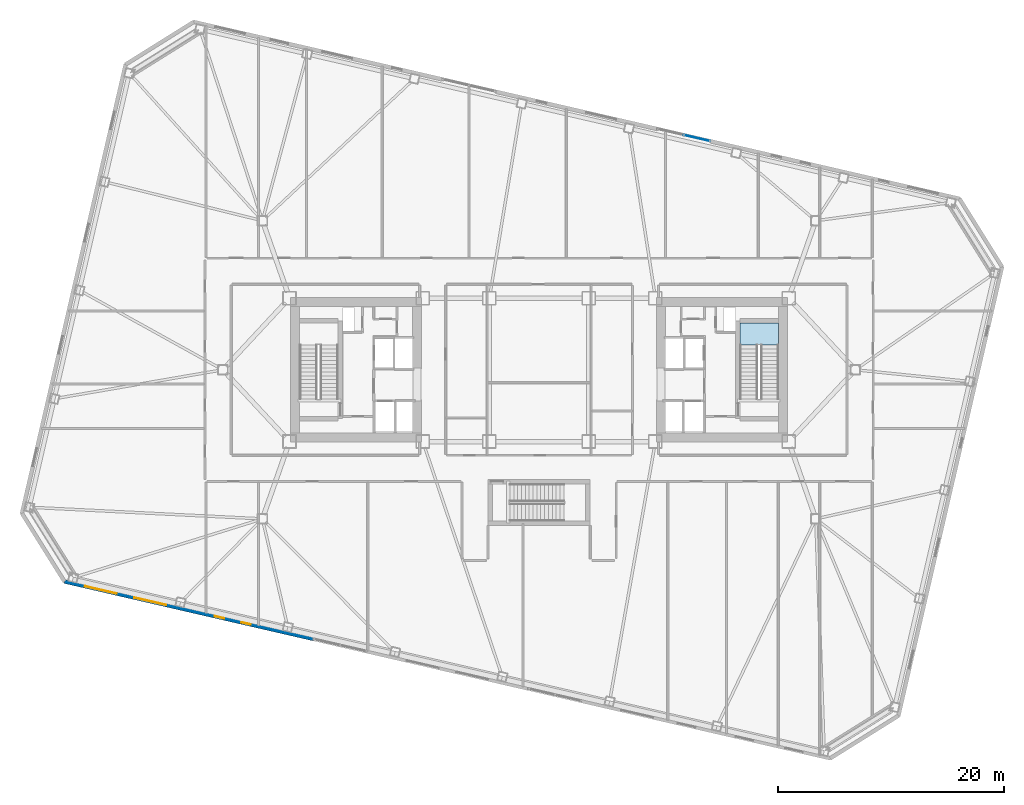
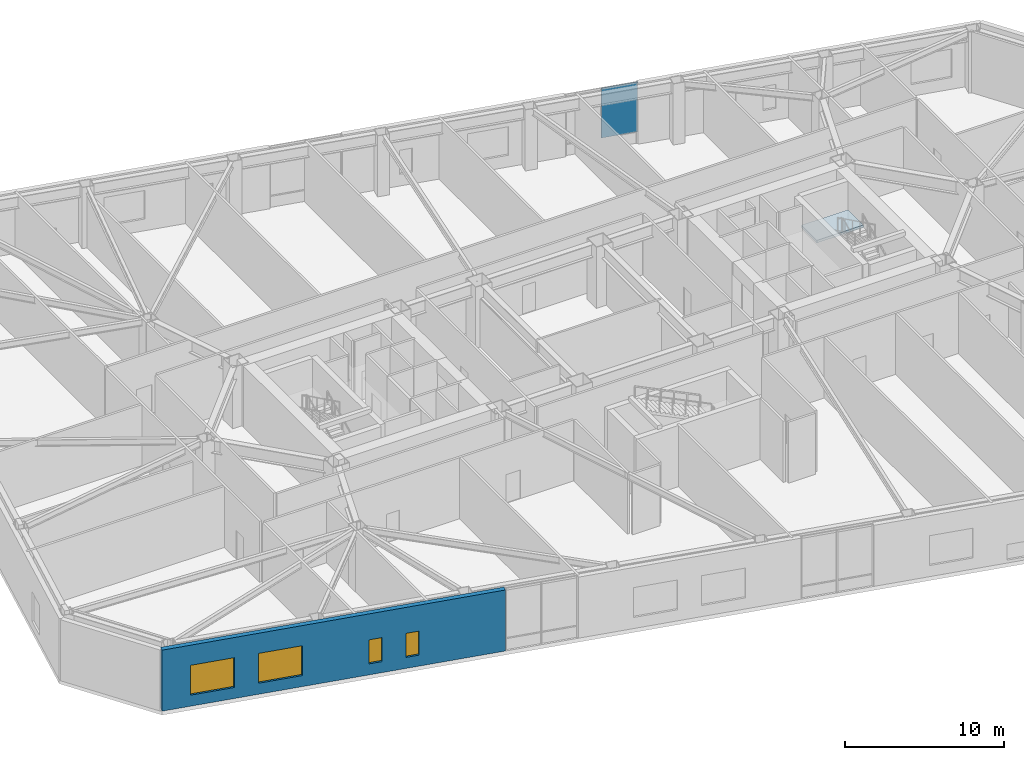
# One storey, part 9 of 21: 4 windows, 1 plate, 1 slab, 1 wall, 4 openings, 2 elements without a shape of their own.
"""IFC4 building model written with IfcOpenShell, lengths in metres."""

from ifc_helpers import new_model, si_unit, direction, frame, frame_2d, origin, origin_2d, place, context, subcontext, project, spatial, polyline, rectangle, outline, extrude, material, layer, layer_set, type_object, element, fill, aggregate, save


model = new_model("IFC4")

# Units and contexts
model_context = context("Model", 3, precision=1e-05, world=origin(), true_north=direction((0.0, 1.0)))
body_context = subcontext(model_context, "Body", "Model", "MODEL_VIEW")
ifc_project = project(units=[si_unit("LENGTHUNIT", "METRE"), si_unit("AREAUNIT", "SQUARE_METRE"), si_unit("VOLUMEUNIT", "CUBIC_METRE"), si_unit("PLANEANGLEUNIT", "RADIAN"), si_unit("MASSUNIT", "GRAM", prefix="KILO")], contexts=[model_context])

# Site, building, storey
site_placement = place(None, origin())
site = spatial("IfcSite", under=ifc_project, at=site_placement, CompositionType="ELEMENT")
building_placement = place(site_placement, origin())
building = spatial("IfcBuilding", under=site, at=building_placement, Name="Tavrogorsk Clinical Tower", CompositionType="ELEMENT")
storey_placement = place(building_placement, frame((0.0, 0.0, 8.39990234375)))
storey = spatial("IfcBuildingStorey", under=building, at=storey_placement, Name="L01", CompositionType="ELEMENT", Elevation=8.39990234375)

# Curtain wall, plate
ifc_material_1 = material(Name="Anodised aluminium and triple IGU glazing", Category="aluminium")
ifc_layer_1 = layer(ifc_material_1, 0.179931640625)
ifc_layer_set_1 = layer_set([ifc_layer_1], Name="Anodised aluminium and triple IGU glazing")
curtain_wall_type = type_object("IfcCurtainWallType", Name="CW2_NorthSlot", PredefinedType="NOTDEFINED", material=ifc_layer_set_1)
curtain_wall_placement = place(storey_placement, origin())
curtain_wall = element("IfcCurtainWall", 1, at=curtain_wall_placement, inside=storey, type_object=curtain_wall_type, Name="L01 Curtain Wall CW-L01-N-SLOT-2", PredefinedType="NOTDEFINED")
ifc_material_2 = material(Name="Triple low-E argon insulated glass", Category="glass")
ifc_layer_2 = layer(ifc_material_2, 0.048095703125)
ifc_layer_set_2 = layer_set([ifc_layer_2], Name="Triple low-E argon insulated glass")
plate_type = type_object("IfcPlateType", Name="CwVisionGlassPanel_48", PredefinedType="CURTAIN_PANEL", material=ifc_layer_set_2)
plate_placement = place(storey_placement, frame((13.996337890625, 20.513427734375, 0.862060546875), z_axis=(0.0, 0.0, 1.0), x_axis=(-0.974370046851, 0.224951132027, 0.0)))
plate = element("IfcPlate", 2, at=plate_placement, type_object=plate_type, Name="CW-L01-N-SLOT-2 Glazing Panel 1", PredefinedType="CURTAIN_PANEL", context=body_context, shape_type="SweptSolid", body=[
    extrude(rectangle(XDim=2.39208984375, YDim=0.048095703125, at=origin_2d()), origin(), (0.0, 0.0, 1.0), 3.8359375),
])
aggregate(curtain_wall, [plate])

# Stair, slab
ifc_material_3 = material(Name="Concrete B60", Category="concrete")
stair_type = type_object("IfcStairType", Name="CoreStairAssembly", PredefinedType="HALF_TURN_STAIR", material=ifc_material_3)
stair_placement = place(storey_placement, origin())
stair = element("IfcStair", 3, at=stair_placement, inside=storey, type_object=stair_type, Name="L01 ST-E", PredefinedType="HALF_TURN_STAIR")
ifc_material_4 = material(Name="Concrete B60", Category="concrete")
ifc_layer_3 = layer(ifc_material_4, 0.199951171875)
ifc_layer_set_3 = layer_set([ifc_layer_3], Name="Concrete B60")
slab_type = type_object("IfcSlabType", Name="StairLanding_200", PredefinedType="LANDING", material=ifc_layer_set_3)
slab_placement = place(storey_placement, frame((0.0, 0.0, 2.300048828125)))
slab = element("IfcSlab", 4, at=slab_placement, type_object=slab_type, Name="ST-E landing 1", PredefinedType="LANDING", context=body_context, shape_type="SweptSolid", body=[
    extrude(outline(polyline([(21.199951171875, 2.18505859375), (21.199951171875, 4.125), (17.800048828125, 4.125), (17.800048828125, 2.18505859375), (21.199951171875, 2.18505859375)])), origin(), (0.0, 0.0, 1.0), 0.199951171875),
])
aggregate(stair, [slab])

# Wall, openings, windows
ifc_material_5 = material(Name="Precast concrete B45 with limestone cladding", Category="masonry")
ifc_layer_4 = layer(ifc_material_5, 0.340087890625)
ifc_layer_set_4 = layer_set([ifc_layer_4], Name="Precast concrete B45 with limestone cladding")
wall_type = type_object("IfcWallType", Name="PrecastLimestoneWall_340", PredefinedType="STANDARD", material=ifc_layer_set_4)
wall_placement = place(storey_placement, frame((-42.028564453125, -18.75, 0.0), z_axis=(0.0, 0.0, 1.0), x_axis=(0.97436993772, -0.224951604723, 0.0)))
wall = element("IfcWall", 5, at=wall_placement, inside=storey, type_object=wall_type, Name="L01 S Limestone Facade Wall 1", PredefinedType="STANDARD", context=body_context, shape_type="SweptSolid", body=[
    extrude(rectangle(XDim=22.6513671875, YDim=0.340087890625, at=frame_2d((11.32568359375, 0.0))), origin(), (0.0, 0.0, 1.0), 4.7001953125),
])
opening_1_placement = place(wall_placement, frame((1.862060546875, 0.0, 0.85009765625)))
opening_1 = element("IfcOpeningElement", 6, at=opening_1_placement, cuts=wall, Name="Opening WN-10", PredefinedType="OPENING", context=body_context, shape_type="SweptSolid", body=[
    extrude(rectangle(XDim=2.89990234375, YDim=2.300048828125, at=frame_2d((1.449951171875, 1.14990234375))), frame((0.0, 0.179931640625, 0.0), z_axis=(0.0, -1.0, 0.0), x_axis=(1.0, 0.0, 0.0)), (0.0, 0.0, 1.0), 0.360107421875),
])
opening_2_placement = place(wall_placement, frame((6.346435546875, 0.0, 0.85009765625)))
opening_2 = element("IfcOpeningElement", 7, at=opening_2_placement, cuts=wall, Name="Opening WN-10", PredefinedType="OPENING", context=body_context, shape_type="SweptSolid", body=[
    extrude(rectangle(XDim=2.89990234375, YDim=2.300048828125, at=frame_2d((1.449951171875, 1.14990234375))), frame((0.0, 0.179931640625, 0.0), z_axis=(0.0, -1.0, 0.0), x_axis=(1.0, 0.0, 0.0)), (0.0, 0.0, 1.0), 0.360107421875),
])
opening_3_placement = place(wall_placement, frame((13.66064453125, 0.0, 0.85009765625)))
opening_3 = element("IfcOpeningElement", 8, at=opening_3_placement, cuts=wall, Name="Opening WN-06", PredefinedType="OPENING", context=body_context, shape_type="SweptSolid", body=[
    extrude(rectangle(XDim=0.85009765625, YDim=1.85009765625, at=frame_2d((0.425048828125, 0.925048828125))), frame((0.0, 0.179931640625, 0.0), z_axis=(0.0, -1.0, 0.0), x_axis=(1.0, 0.0, 0.0)), (0.0, 0.0, 1.0), 0.360107421875),
])
opening_4_placement = place(wall_placement, frame((16.094970703125, 0.0, 0.85009765625)))
opening_4 = element("IfcOpeningElement", 9, at=opening_4_placement, cuts=wall, Name="Opening WN-06", PredefinedType="OPENING", context=body_context, shape_type="SweptSolid", body=[
    extrude(rectangle(XDim=0.85009765625, YDim=1.85009765625, at=frame_2d((0.425048828125, 0.925048828125))), frame((0.0, 0.179931640625, 0.0), z_axis=(0.0, -1.0, 0.0), x_axis=(1.0, 0.0, 0.0)), (0.0, 0.0, 1.0), 0.360107421875),
])
ifc_material_6 = material(Name="Thermally broken aluminium frame and triple IGU", Category="aluminium")
window_type_1 = type_object("IfcWindowType", Name="DiagnosticWin_2900x2300", PartitioningType="TRIPLE_PANEL_HORIZONTAL", PredefinedType="WINDOW", material=ifc_material_6)
window_1_placement = place(opening_1_placement, origin())
window_1 = element("IfcWindow", 10, at=window_1_placement, inside=storey, type_object=window_type_1, Name="L01 S Chicago Window 01", OverallHeight=2.300048828125, OverallWidth=2.89990234375, PartitioningType="SINGLE_PANEL", PredefinedType="WINDOW", context=body_context, shape_type="SweptSolid", body=[
    extrude(rectangle(XDim=2.89990234375, YDim=2.300048828125, at=frame_2d((1.449951171875, 1.14990234375))), frame((0.0, 0.030029296875, 0.0), z_axis=(0.0, -1.0, 0.0), x_axis=(1.0, 0.0, 0.0)), (0.0, 0.0, 1.0), 0.06005859375),
])
fill(opening_1, window_1)
window_2_placement = place(opening_2_placement, origin())
window_2 = element("IfcWindow", 11, at=window_2_placement, inside=storey, type_object=window_type_1, Name="L01 S Chicago Window 02", OverallHeight=2.300048828125, OverallWidth=2.89990234375, PartitioningType="SINGLE_PANEL", PredefinedType="WINDOW", context=body_context, shape_type="SweptSolid", body=[
    extrude(rectangle(XDim=2.89990234375, YDim=2.300048828125, at=frame_2d((1.449951171875, 1.14990234375))), frame((0.0, 0.030029296875, 0.0), z_axis=(0.0, -1.0, 0.0), x_axis=(1.0, 0.0, 0.0)), (0.0, 0.0, 1.0), 0.06005859375),
])
fill(opening_2, window_2)
ifc_material_7 = material(Name="Thermally broken aluminium frame and triple IGU", Category="aluminium")
window_type_2 = type_object("IfcWindowType", Name="MullionSubWin_850x1850", PartitioningType="SINGLE_PANEL", PredefinedType="WINDOW", material=ifc_material_7)
window_3_placement = place(opening_3_placement, origin())
window_3 = element("IfcWindow", 12, at=window_3_placement, inside=storey, type_object=window_type_2, Name="L01 S Mullion Split Window 03B", OverallHeight=1.85009765625, OverallWidth=0.85009765625, PartitioningType="SINGLE_PANEL", PredefinedType="WINDOW", context=body_context, shape_type="SweptSolid", body=[
    extrude(rectangle(XDim=0.85009765625, YDim=1.85009765625, at=frame_2d((0.425048828125, 0.925048828125))), frame((0.0, 0.030029296875, 0.0), z_axis=(0.0, -1.0, 0.0), x_axis=(1.0, 0.0, 0.0)), (0.0, 0.0, 1.0), 0.06005859375),
])
fill(opening_3, window_3)
window_4_placement = place(opening_4_placement, origin())
window_4 = element("IfcWindow", 13, at=window_4_placement, inside=storey, type_object=window_type_2, Name="L01 S Mullion Split Window 04A", OverallHeight=1.85009765625, OverallWidth=0.85009765625, PartitioningType="SINGLE_PANEL", PredefinedType="WINDOW", context=body_context, shape_type="SweptSolid", body=[
    extrude(rectangle(XDim=0.85009765625, YDim=1.85009765625, at=frame_2d((0.425048828125, 0.925048828125))), frame((0.0, 0.030029296875, 0.0), z_axis=(0.0, -1.0, 0.0), x_axis=(1.0, 0.0, 0.0)), (0.0, 0.0, 1.0), 0.06005859375),
])
fill(opening_4, window_4)

save(model, "model.ifc")
